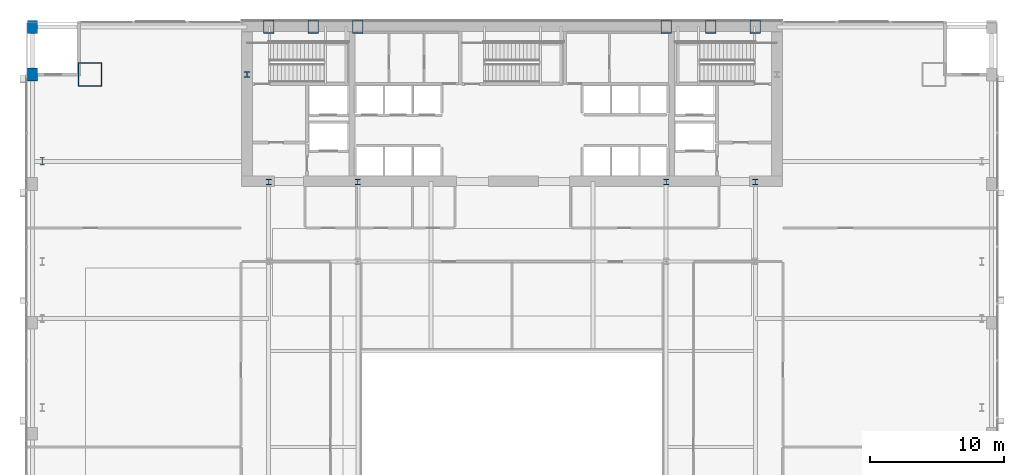
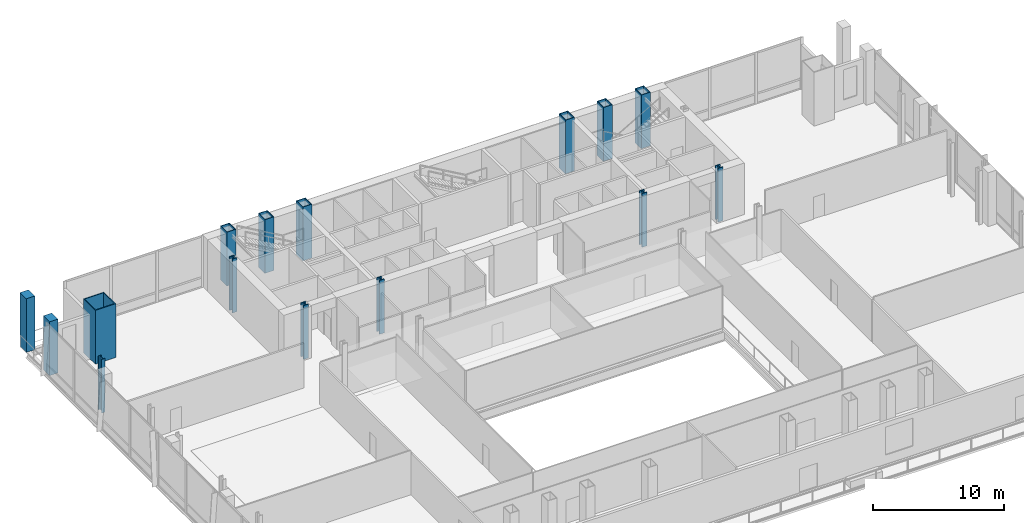
# One storey, part 3 of 25: 15 columns.
"""IFC4 building model written with IfcOpenShell, lengths in metres."""

from ifc_helpers import new_model, si_unit, direction, frame, origin, origin_2d, place, context, subcontext, project, spatial, rectangle, hollow_rectangle, i_section, extrude, material, material_profile, profile_set, type_object, element, save


model = new_model("IFC4")

# Units and contexts
model_context = context("Model", 3, precision=1e-05, world=origin(), true_north=direction((0.0, 1.0)))
body_context = subcontext(model_context, "Body", "Model", "MODEL_VIEW")
ifc_project = project(units=[si_unit("LENGTHUNIT", "METRE"), si_unit("AREAUNIT", "SQUARE_METRE"), si_unit("VOLUMEUNIT", "CUBIC_METRE"), si_unit("PLANEANGLEUNIT", "RADIAN"), si_unit("MASSUNIT", "GRAM", prefix="KILO")], contexts=[model_context])

# Site, building, storey
site_placement = place(None, origin())
site = spatial("IfcSite", under=ifc_project, at=site_placement, CompositionType="ELEMENT")
building_placement = place(site_placement, origin())
building = spatial("IfcBuilding", under=site, at=building_placement, Name="Khoronbel Lancet Exchange", CompositionType="ELEMENT")
storey_placement = place(building_placement, frame((0.0, 0.0, 10.39990234375)))
storey = spatial("IfcBuildingStorey", under=building, at=storey_placement, Name="L02", CompositionType="ELEMENT", Elevation=10.39990234375)

# Columns
ifc_material_1 = material(Name="Steel S460", Category="steel")
ifc_material_profile_1 = material_profile(ifc_material_1, hollow_rectangle(XDim=0.800048828125, YDim=1.0, WallThickness=0.054931640625, at=origin_2d()), Name="BOX 1000x800x55")
ifc_profile_set_1 = profile_set([ifc_material_profile_1], Name="Steel S460")
column_type_1 = type_object("IfcColumnType", Name="COL-EC1", PredefinedType="COLUMN", material=ifc_profile_set_1)
for number, where, z_axis, x_axis, name in (
    (1, (18.22509765625, 53.280029296875, 0.0), (0.0, 0.0, 1.0), (1.0, 0.0, 0.0), "Structural column NC-W1 L02"),
    (2, (21.5625, 53.280029296875, 0.0), (0.0, 0.0, 1.0), (1.0, 0.0, 0.0), "Structural column NC-WM L02"),
    (3, (24.89990234375, 53.280029296875, 0.0), (0.0, 0.0, 1.0), (1.0, 0.0, 0.0), "Structural column NC-W2 L02"),
    (4, (48.0, 53.280029296875, 0.0), (0.0, 0.0, 1.0), (1.0, 0.0, 0.0), "Structural column NC-E1 L02"),
    (5, (51.33740234375, 53.280029296875, 0.0), (0.0, 0.0, 1.0), (1.0, 0.0, 0.0), "Structural column NC-EM L02"),
    (6, (54.675048828125, 53.280029296875, 0.0), (0.0, 0.0, 1.0), (1.0, 0.0, 0.0), "Structural column NC-E2 L02"),
):
    element("IfcColumn", number, at=place(storey_placement, frame(where, z_axis=z_axis, x_axis=x_axis)), inside=storey, type_object=column_type_1, Name=name, PredefinedType="COLUMN", context=body_context, shape_type="SweptSolid", body=[
        extrude(hollow_rectangle(XDim=0.800048828125, YDim=1.0, WallThickness=0.054931640625, at=origin_2d()), origin(), (0.0, 0.0, 1.0), 5.0),
    ])
ifc_material_profile_2 = material_profile(ifc_material_1, i_section(OverallWidth=0.424072265625, OverallDepth=0.47412109375, WebThickness=0.047607421875, FlangeThickness=0.076904296875, at=origin_2d()), Name="HD 400x634")
ifc_profile_set_2 = profile_set([ifc_material_profile_2], Name="Steel S460")
column_type_2 = type_object("IfcColumnType", Name="COL-IC1", PredefinedType="COLUMN", material=ifc_profile_set_2)
for number, where, z_axis, x_axis, name in (
    (7, (16.60009765625, 49.699951171875, 0.0), (0.0, 0.0, 1.0), (1.0, 0.0, 0.0), "Core-flank plumb transfer column CFW L02"),
    (8, (18.22509765625, 41.64990234375, 0.0), (0.0, 0.0, 1.0), (1.0, 0.0, 0.0), "Core-embedded steel column CTC1 L02"),
    (9, (24.89990234375, 41.64990234375, 0.0), (0.0, 0.0, 1.0), (1.0, 0.0, 0.0), "Core-embedded steel column CTC2 L02"),
    (10, (48.0, 41.64990234375, 0.0), (0.0, 0.0, 1.0), (1.0, 0.0, 0.0), "Core-embedded steel column CTC3 L02"),
    (11, (54.675048828125, 41.64990234375, 0.0), (0.0, 0.0, 1.0), (1.0, 0.0, 0.0), "Core-embedded steel column CTC4 L02"),
):
    element("IfcColumn", number, at=place(storey_placement, frame(where, z_axis=z_axis, x_axis=x_axis)), inside=storey, type_object=column_type_2, Name=name, PredefinedType="COLUMN", context=body_context, shape_type="SweptSolid", body=[
        extrude(i_section(OverallWidth=0.424072265625, OverallDepth=0.47412109375, WebThickness=0.047607421875, FlangeThickness=0.076904296875, at=origin_2d()), origin(), (0.0, 0.0, 1.0), 5.0),
    ])
ifc_material_2 = material(Name="Steel S355", Category="steel")
ifc_material_profile_3 = material_profile(ifc_material_2, i_section(OverallWidth=0.300048828125, OverallDepth=0.550048828125, WebThickness=0.014892578125, FlangeThickness=0.029052734375, at=origin_2d()), Name="HEB 550")
ifc_profile_set_3 = profile_set([ifc_material_profile_3], Name="Steel S355")
column_type_3 = type_object("IfcColumnType", Name="COL-LC1", PredefinedType="COLUMN", material=ifc_profile_set_3)
column_1_placement = place(storey_placement, frame((1.27001953125, 43.199951171875, 0.0), z_axis=(0.0, 0.0, 1.0), x_axis=(1.0, 0.0, 0.0)))
element("IfcColumn", 12, at=column_1_placement, inside=storey, type_object=column_type_3, Name="Structural column WC-4 L02", PredefinedType="COLUMN", context=body_context, shape_type="SweptSolid", body=[
    extrude(i_section(OverallWidth=0.300048828125, OverallDepth=0.550048828125, WebThickness=0.014892578125, FlangeThickness=0.029052734375, at=origin_2d()), origin(), (0.0, 0.0, 1.0), 5.0),
])
ifc_material_profile_4 = material_profile(ifc_material_1, hollow_rectangle(XDim=1.800048828125, YDim=1.800048828125, WallThickness=0.080078125, at=origin_2d()), Name="BOX 1800x1800x80")
ifc_profile_set_4 = profile_set([ifc_material_profile_4], Name="Steel S460")
column_type_4 = type_object("IfcColumnType", Name="COL-MC1", PredefinedType="COLUMN", material=ifc_profile_set_4)
column_2_placement = place(storey_placement, frame((4.85009765625, 49.699951171875, 0.0), z_axis=(0.0, 0.0, 1.0), x_axis=(1.0, 0.0, 0.0)))
element("IfcColumn", 13, at=column_2_placement, inside=storey, type_object=column_type_4, Name="Structural column MC-NW L02", PredefinedType="COLUMN", context=body_context, shape_type="SweptSolid", body=[
    extrude(hollow_rectangle(XDim=1.800048828125, YDim=1.800048828125, WallThickness=0.080078125, at=origin_2d()), origin(), (0.0, 0.0, 1.0), 5.0),
])
ifc_material_3 = material(Name="Concrete C60/75", Category="concrete")
ifc_material_profile_5 = material_profile(ifc_material_3, rectangle(XDim=0.75, YDim=0.949951171875, at=origin_2d()), Name="RC 750x950")
ifc_profile_set_5 = profile_set([ifc_material_profile_5], Name="Concrete C60/75")
column_type_5 = type_object("IfcColumnType", Name="COL-PIL2", PredefinedType="PILASTER", material=ifc_profile_set_5)
for number, where, z_axis, x_axis, name in (
    (14, (0.550048828125, 49.699951171875, 0.0), (0.0, 0.0, 1.0), (1.0, 0.0, 0.0), "Podium Gothic colonnade pilaster NWMC L02"),
    (15, (0.550048828125, 53.25, 0.0), (0.0, 0.0, 1.0), (1.0, 0.0, 0.0), "Podium Gothic colonnade pilaster NWP L02"),
):
    element("IfcColumn", number, at=place(storey_placement, frame(where, z_axis=z_axis, x_axis=x_axis)), inside=storey, type_object=column_type_5, Name=name, PredefinedType="PILASTER", context=body_context, shape_type="SweptSolid", body=[
        extrude(rectangle(XDim=0.75, YDim=0.949951171875, at=origin_2d()), origin(), (0.0, 0.0, 1.0), 5.0),
    ])

save(model, "model.ifc")
